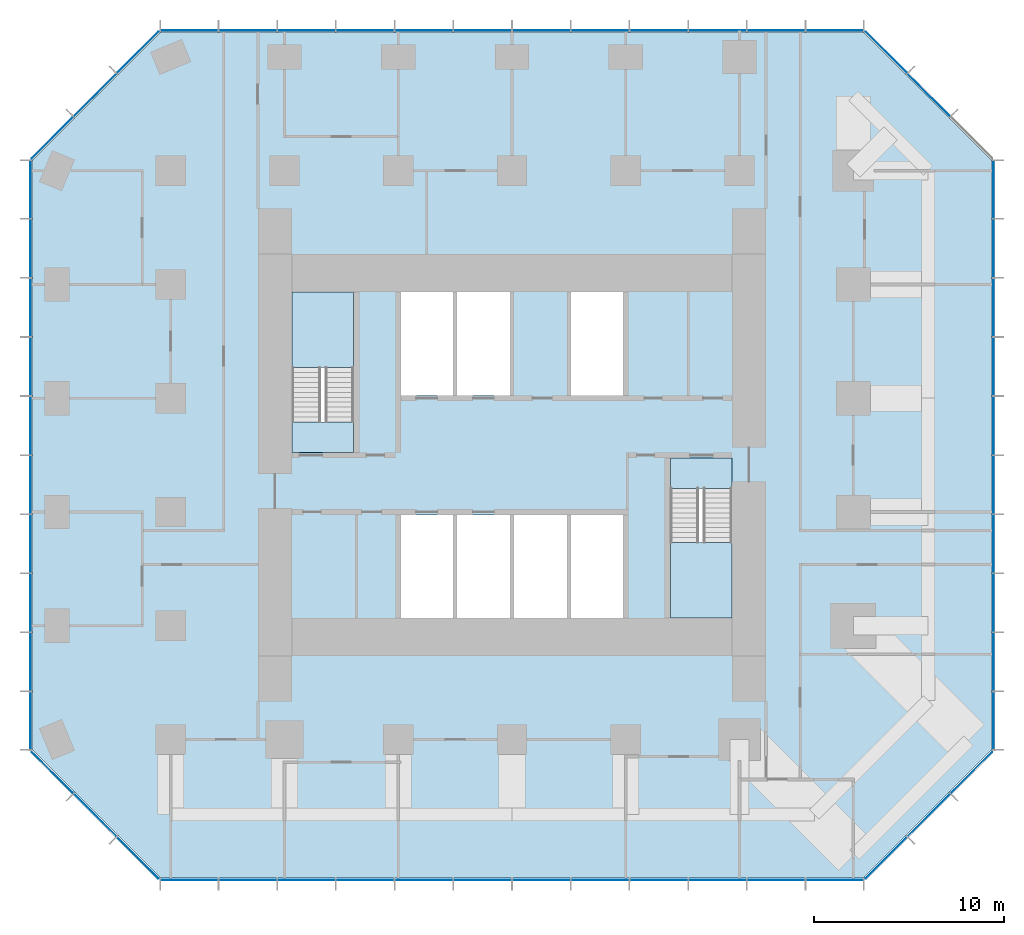
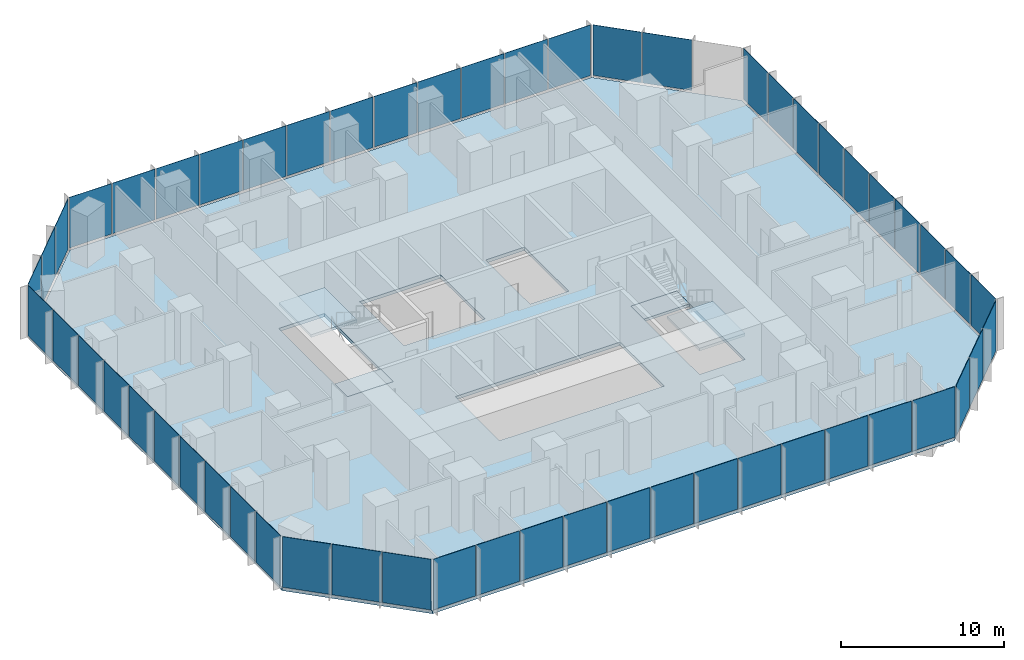
# One storey, part 7 of 12: 55 plates, 5 slabs, 10 elements without a shape of their own.
"""IFC4 building model written with IfcOpenShell, lengths in metres."""

from ifc_helpers import new_model, si_unit, direction, frame, origin, origin_2d, place, context, subcontext, project, spatial, polyline, rectangle, outline, extrude, material, layer, layer_set, type_object, element, aggregate, save


model = new_model("IFC4")

# Units and contexts
model_context = context("Model", 3, precision=1e-05, world=origin(), true_north=direction((0.0, 1.0)))
body_context = subcontext(model_context, "Body", "Model", "MODEL_VIEW")
ifc_project = project(units=[si_unit("LENGTHUNIT", "METRE"), si_unit("AREAUNIT", "SQUARE_METRE"), si_unit("VOLUMEUNIT", "CUBIC_METRE"), si_unit("PLANEANGLEUNIT", "RADIAN"), si_unit("MASSUNIT", "GRAM", prefix="KILO")], contexts=[model_context])

# Site, building, storey
site_placement = place(None, origin())
site = spatial("IfcSite", under=ifc_project, at=site_placement, CompositionType="ELEMENT")
building_placement = place(site_placement, origin())
building = spatial("IfcBuilding", under=site, at=building_placement, Name="Highveld Stack Headquarters", CompositionType="ELEMENT")
storey_placement = place(building_placement, frame((0.0, 0.0, 148.39990234375)))
storey = spatial("IfcBuildingStorey", under=building, at=storey_placement, Name="L36", CompositionType="ELEMENT", Elevation=148.39990234375)

# Curtain wall, plates
ifc_material_1 = material(Name="Aluminium bronze anodised", Category="aluminium")
ifc_layer_1 = layer(ifc_material_1, 0.199951171875)
ifc_layer_set_1 = layer_set([ifc_layer_1], Name="Aluminium bronze anodised")
curtain_wall_type_1 = type_object("IfcCurtainWallType", Name="CW1 TOWER UNITISED CURTAIN WALL", PredefinedType="NOTDEFINED", material=ifc_layer_set_1)
curtain_wall_1_placement = place(storey_placement, origin())
curtain_wall_1 = element("IfcCurtainWall", 1, at=curtain_wall_1_placement, inside=storey, type_object=curtain_wall_type_1, Name="Curtain wall CW1 L36 S", PredefinedType="NOTDEFINED")
ifc_material_2 = material(Name="Glass bronze tinted double glazed unit", Category="glass")
ifc_layer_2 = layer(ifc_material_2, 0.028076171875)
ifc_layer_set_2 = layer_set([ifc_layer_2], Name="Glass bronze tinted double glazed unit")
plate_type_1 = type_object("IfcPlateType", Name="CW1 PANEL BRONZE TINTED DOUBLE GLAZED UNIT", PredefinedType="CURTAIN_PANEL", material=ifc_layer_set_2)
plate_1_placement = place(storey_placement, frame((-11.015380859375, -19.39990234375, 0.10009765625), z_axis=(0.0, 0.0, 1.0), x_axis=(1.0, 0.0, 0.0)))
plate_1 = element("IfcPlate", 2, at=plate_1_placement, type_object=plate_type_1, Name="CW1 panel L36 1.1", PredefinedType="CURTAIN_PANEL", context=body_context, shape_type="SweptSolid", body=[
    extrude(rectangle(XDim=2.9990234375, YDim=0.028076171875, at=origin_2d()), origin(), (0.0, 0.0, 1.0), 3.800048828125),
])
plate_2_placement = place(storey_placement, frame((-7.934814453125, -19.39990234375, 0.10009765625), z_axis=(0.0, 0.0, 1.0), x_axis=(1.0, 0.0, 0.0)))
plate_2 = element("IfcPlate", 3, at=plate_2_placement, type_object=plate_type_1, Name="CW1 panel L36 2.1", PredefinedType="CURTAIN_PANEL", context=body_context, shape_type="SweptSolid", body=[
    extrude(rectangle(XDim=3.031494140625, YDim=0.028076171875, at=origin_2d()), origin(), (0.0, 0.0, 1.0), 3.800048828125),
])
plate_3_placement = place(storey_placement, frame((-4.83837890625, -19.39990234375, 0.10009765625), z_axis=(0.0, 0.0, 1.0), x_axis=(1.0, 0.0, 0.0)))
plate_3 = element("IfcPlate", 4, at=plate_3_placement, type_object=plate_type_1, Name="CW1 panel L36 3.1", PredefinedType="CURTAIN_PANEL", context=body_context, shape_type="SweptSolid", body=[
    extrude(rectangle(XDim=3.031494140625, YDim=0.028076171875, at=origin_2d()), origin(), (0.0, 0.0, 1.0), 3.800048828125),
])
plate_4_placement = place(storey_placement, frame((-1.74169921875, -19.39990234375, 0.10009765625), z_axis=(0.0, 0.0, 1.0), x_axis=(1.0, 0.0, 0.0)))
plate_4 = element("IfcPlate", 5, at=plate_4_placement, type_object=plate_type_1, Name="CW1 panel L36 4.1", PredefinedType="CURTAIN_PANEL", context=body_context, shape_type="SweptSolid", body=[
    extrude(rectangle(XDim=3.031494140625, YDim=0.028076171875, at=origin_2d()), origin(), (0.0, 0.0, 1.0), 3.800048828125),
])
plate_5_placement = place(storey_placement, frame((1.35498046875, -19.39990234375, 0.10009765625), z_axis=(0.0, 0.0, 1.0), x_axis=(1.0, 0.0, 0.0)))
plate_5 = element("IfcPlate", 6, at=plate_5_placement, type_object=plate_type_1, Name="CW1 panel L36 5.1", PredefinedType="CURTAIN_PANEL", context=body_context, shape_type="SweptSolid", body=[
    extrude(rectangle(XDim=3.031494140625, YDim=0.028076171875, at=origin_2d()), origin(), (0.0, 0.0, 1.0), 3.800048828125),
])
plate_6_placement = place(storey_placement, frame((4.45166015625, -19.39990234375, 0.10009765625), z_axis=(0.0, 0.0, 1.0), x_axis=(1.0, 0.0, 0.0)))
plate_6 = element("IfcPlate", 7, at=plate_6_placement, type_object=plate_type_1, Name="CW1 panel L36 6.1", PredefinedType="CURTAIN_PANEL", context=body_context, shape_type="SweptSolid", body=[
    extrude(rectangle(XDim=3.031494140625, YDim=0.028076171875, at=origin_2d()), origin(), (0.0, 0.0, 1.0), 3.800048828125),
])
plate_7_placement = place(storey_placement, frame((7.54833984375, -19.39990234375, 0.10009765625), z_axis=(0.0, 0.0, 1.0), x_axis=(1.0, 0.0, 0.0)))
plate_7 = element("IfcPlate", 8, at=plate_7_placement, type_object=plate_type_1, Name="CW1 panel L36 7.1", PredefinedType="CURTAIN_PANEL", context=body_context, shape_type="SweptSolid", body=[
    extrude(rectangle(XDim=3.03173828125, YDim=0.028076171875, at=origin_2d()), origin(), (0.0, 0.0, 1.0), 3.800048828125),
])
plate_8_placement = place(storey_placement, frame((10.64501953125, -19.39990234375, 0.10009765625), z_axis=(0.0, 0.0, 1.0), x_axis=(1.0, 0.0, 0.0)))
plate_8 = element("IfcPlate", 9, at=plate_8_placement, type_object=plate_type_1, Name="CW1 panel L36 8.1", PredefinedType="CURTAIN_PANEL", context=body_context, shape_type="SweptSolid", body=[
    extrude(rectangle(XDim=3.03173828125, YDim=0.028076171875, at=origin_2d()), origin(), (0.0, 0.0, 1.0), 3.800048828125),
])
plate_9_placement = place(storey_placement, frame((13.74169921875, -19.39990234375, 0.10009765625), z_axis=(0.0, 0.0, 1.0), x_axis=(1.0, 0.0, 0.0)))
plate_9 = element("IfcPlate", 10, at=plate_9_placement, type_object=plate_type_1, Name="CW1 panel L36 9.1", PredefinedType="CURTAIN_PANEL", context=body_context, shape_type="SweptSolid", body=[
    extrude(rectangle(XDim=3.03173828125, YDim=0.028076171875, at=origin_2d()), origin(), (0.0, 0.0, 1.0), 3.800048828125),
])
plate_10_placement = place(storey_placement, frame((16.83837890625, -19.39990234375, 0.10009765625), z_axis=(0.0, 0.0, 1.0), x_axis=(1.0, 0.0, 0.0)))
plate_10 = element("IfcPlate", 11, at=plate_10_placement, type_object=plate_type_1, Name="CW1 panel L36 10.1", PredefinedType="CURTAIN_PANEL", context=body_context, shape_type="SweptSolid", body=[
    extrude(rectangle(XDim=3.03173828125, YDim=0.028076171875, at=origin_2d()), origin(), (0.0, 0.0, 1.0), 3.800048828125),
])
plate_11_placement = place(storey_placement, frame((19.934814453125, -19.39990234375, 0.10009765625), z_axis=(0.0, 0.0, 1.0), x_axis=(1.0, 0.0, 0.0)))
plate_11 = element("IfcPlate", 12, at=plate_11_placement, type_object=plate_type_1, Name="CW1 panel L36 11.1", PredefinedType="CURTAIN_PANEL", context=body_context, shape_type="SweptSolid", body=[
    extrude(rectangle(XDim=3.03173828125, YDim=0.028076171875, at=origin_2d()), origin(), (0.0, 0.0, 1.0), 3.800048828125),
])
plate_12_placement = place(storey_placement, frame((23.015380859375, -19.39990234375, 0.10009765625), z_axis=(0.0, 0.0, 1.0), x_axis=(1.0, 0.0, 0.0)))
plate_12 = element("IfcPlate", 13, at=plate_12_placement, type_object=plate_type_1, Name="CW1 panel L36 12.1", PredefinedType="CURTAIN_PANEL", context=body_context, shape_type="SweptSolid", body=[
    extrude(rectangle(XDim=2.999267578125, YDim=0.028076171875, at=origin_2d()), origin(), (0.0, 0.0, 1.0), 3.800048828125),
])
aggregate(curtain_wall_1, [plate_1, plate_2, plate_3, plate_4, plate_5, plate_6, plate_7, plate_8, plate_9, plate_10, plate_11, plate_12])

curtain_wall_2_placement = place(storey_placement, origin())
curtain_wall_2 = element("IfcCurtainWall", 14, at=curtain_wall_2_placement, inside=storey, type_object=curtain_wall_type_1, Name="Curtain wall CW1 L36 E", PredefinedType="NOTDEFINED")
plate_13_placement = place(storey_placement, frame((31.39990234375, -11.005615234375, 0.10009765625), z_axis=(0.0, 0.0, 1.0), x_axis=(0.0, 1.0, 0.0)))
plate_13 = element("IfcPlate", 15, at=plate_13_placement, type_object=plate_type_1, Name="CW1 panel L36 1.1", PredefinedType="CURTAIN_PANEL", context=body_context, shape_type="SweptSolid", body=[
    extrude(rectangle(XDim=3.0185546875, YDim=0.028076171875, at=origin_2d()), origin(), (0.0, 0.0, 1.0), 3.800048828125),
])
plate_14_placement = place(storey_placement, frame((31.39990234375, -7.906005859375, 0.10009765625), z_axis=(0.0, 0.0, 1.0), x_axis=(0.0, 1.0, 0.0)))
plate_14 = element("IfcPlate", 16, at=plate_14_placement, type_object=plate_type_1, Name="CW1 panel L36 2.1", PredefinedType="CURTAIN_PANEL", context=body_context, shape_type="SweptSolid", body=[
    extrude(rectangle(XDim=3.051025390625, YDim=0.028076171875, at=origin_2d()), origin(), (0.0, 0.0, 1.0), 3.800048828125),
])
plate_15_placement = place(storey_placement, frame((31.39990234375, -4.7900390625, 0.10009765625), z_axis=(0.0, 0.0, 1.0), x_axis=(0.0, 1.0, 0.0)))
plate_15 = element("IfcPlate", 17, at=plate_15_placement, type_object=plate_type_1, Name="CW1 panel L36 3.1", PredefinedType="CURTAIN_PANEL", context=body_context, shape_type="SweptSolid", body=[
    extrude(rectangle(XDim=3.051025390625, YDim=0.028076171875, at=origin_2d()), origin(), (0.0, 0.0, 1.0), 3.800048828125),
])
plate_16_placement = place(storey_placement, frame((31.39990234375, -1.674072265625, 0.10009765625), z_axis=(0.0, 0.0, 1.0), x_axis=(0.0, 1.0, 0.0)))
plate_16 = element("IfcPlate", 18, at=plate_16_placement, type_object=plate_type_1, Name="CW1 panel L36 4.1", PredefinedType="CURTAIN_PANEL", context=body_context, shape_type="SweptSolid", body=[
    extrude(rectangle(XDim=3.051025390625, YDim=0.028076171875, at=origin_2d()), origin(), (0.0, 0.0, 1.0), 3.800048828125),
])
plate_17_placement = place(storey_placement, frame((31.39990234375, 1.44189453125, 0.10009765625), z_axis=(0.0, 0.0, 1.0), x_axis=(0.0, 1.0, 0.0)))
plate_17 = element("IfcPlate", 19, at=plate_17_placement, type_object=plate_type_1, Name="CW1 panel L36 5.1", PredefinedType="CURTAIN_PANEL", context=body_context, shape_type="SweptSolid", body=[
    extrude(rectangle(XDim=3.051025390625, YDim=0.028076171875, at=origin_2d()), origin(), (0.0, 0.0, 1.0), 3.800048828125),
])
plate_18_placement = place(storey_placement, frame((31.39990234375, 4.55810546875, 0.10009765625), z_axis=(0.0, 0.0, 1.0), x_axis=(0.0, 1.0, 0.0)))
plate_18 = element("IfcPlate", 20, at=plate_18_placement, type_object=plate_type_1, Name="CW1 panel L36 6.1", PredefinedType="CURTAIN_PANEL", context=body_context, shape_type="SweptSolid", body=[
    extrude(rectangle(XDim=3.051025390625, YDim=0.028076171875, at=origin_2d()), origin(), (0.0, 0.0, 1.0), 3.800048828125),
])
plate_19_placement = place(storey_placement, frame((31.39990234375, 7.674072265625, 0.10009765625), z_axis=(0.0, 0.0, 1.0), x_axis=(0.0, 1.0, 0.0)))
plate_19 = element("IfcPlate", 21, at=plate_19_placement, type_object=plate_type_1, Name="CW1 panel L36 7.1", PredefinedType="CURTAIN_PANEL", context=body_context, shape_type="SweptSolid", body=[
    extrude(rectangle(XDim=3.051025390625, YDim=0.028076171875, at=origin_2d()), origin(), (0.0, 0.0, 1.0), 3.800048828125),
])
plate_20_placement = place(storey_placement, frame((31.39990234375, 10.789794921875, 0.10009765625), z_axis=(0.0, 0.0, 1.0), x_axis=(0.0, 1.0, 0.0)))
plate_20 = element("IfcPlate", 22, at=plate_20_placement, type_object=plate_type_1, Name="CW1 panel L36 8.1", PredefinedType="CURTAIN_PANEL", context=body_context, shape_type="SweptSolid", body=[
    extrude(rectangle(XDim=3.051025390625, YDim=0.028076171875, at=origin_2d()), origin(), (0.0, 0.0, 1.0), 3.800048828125),
])
plate_21_placement = place(storey_placement, frame((31.39990234375, 13.906005859375, 0.10009765625), z_axis=(0.0, 0.0, 1.0), x_axis=(0.0, 1.0, 0.0)))
plate_21 = element("IfcPlate", 23, at=plate_21_placement, type_object=plate_type_1, Name="CW1 panel L36 9.1", PredefinedType="CURTAIN_PANEL", context=body_context, shape_type="SweptSolid", body=[
    extrude(rectangle(XDim=3.051025390625, YDim=0.028076171875, at=origin_2d()), origin(), (0.0, 0.0, 1.0), 3.800048828125),
])
plate_22_placement = place(storey_placement, frame((31.39990234375, 17.005615234375, 0.10009765625), z_axis=(0.0, 0.0, 1.0), x_axis=(0.0, 1.0, 0.0)))
plate_22 = element("IfcPlate", 24, at=plate_22_placement, type_object=plate_type_1, Name="CW1 panel L36 10.1", PredefinedType="CURTAIN_PANEL", context=body_context, shape_type="SweptSolid", body=[
    extrude(rectangle(XDim=3.0185546875, YDim=0.028076171875, at=origin_2d()), origin(), (0.0, 0.0, 1.0), 3.800048828125),
])
aggregate(curtain_wall_2, [plate_13, plate_14, plate_15, plate_16, plate_17, plate_18, plate_19, plate_20, plate_21, plate_22])

curtain_wall_3_placement = place(storey_placement, origin())
curtain_wall_3 = element("IfcCurtainWall", 25, at=curtain_wall_3_placement, inside=storey, type_object=curtain_wall_type_1, Name="Curtain wall CW1 L36 N", PredefinedType="NOTDEFINED")
plate_23_placement = place(storey_placement, frame((23.015380859375, 25.39990234375, 0.10009765625), z_axis=(0.0, 0.0, 1.0), x_axis=(-1.0, 0.0, 0.0)))
plate_23 = element("IfcPlate", 26, at=plate_23_placement, type_object=plate_type_1, Name="CW1 panel L36 1.1", PredefinedType="CURTAIN_PANEL", context=body_context, shape_type="SweptSolid", body=[
    extrude(rectangle(XDim=2.9990234375, YDim=0.028076171875, at=origin_2d()), origin(), (0.0, 0.0, 1.0), 3.800048828125),
])
plate_24_placement = place(storey_placement, frame((19.934814453125, 25.39990234375, 0.10009765625), z_axis=(0.0, 0.0, 1.0), x_axis=(-1.0, 0.0, 0.0)))
plate_24 = element("IfcPlate", 27, at=plate_24_placement, type_object=plate_type_1, Name="CW1 panel L36 2.1", PredefinedType="CURTAIN_PANEL", context=body_context, shape_type="SweptSolid", body=[
    extrude(rectangle(XDim=3.031494140625, YDim=0.028076171875, at=origin_2d()), origin(), (0.0, 0.0, 1.0), 3.800048828125),
])
plate_25_placement = place(storey_placement, frame((16.83837890625, 25.39990234375, 0.10009765625), z_axis=(0.0, 0.0, 1.0), x_axis=(-1.0, 0.0, 0.0)))
plate_25 = element("IfcPlate", 28, at=plate_25_placement, type_object=plate_type_1, Name="CW1 panel L36 3.1", PredefinedType="CURTAIN_PANEL", context=body_context, shape_type="SweptSolid", body=[
    extrude(rectangle(XDim=3.031494140625, YDim=0.028076171875, at=origin_2d()), origin(), (0.0, 0.0, 1.0), 3.800048828125),
])
plate_26_placement = place(storey_placement, frame((13.74169921875, 25.39990234375, 0.10009765625), z_axis=(0.0, 0.0, 1.0), x_axis=(-1.0, 0.0, 0.0)))
plate_26 = element("IfcPlate", 29, at=plate_26_placement, type_object=plate_type_1, Name="CW1 panel L36 4.1", PredefinedType="CURTAIN_PANEL", context=body_context, shape_type="SweptSolid", body=[
    extrude(rectangle(XDim=3.031494140625, YDim=0.028076171875, at=origin_2d()), origin(), (0.0, 0.0, 1.0), 3.800048828125),
])
plate_27_placement = place(storey_placement, frame((10.64501953125, 25.39990234375, 0.10009765625), z_axis=(0.0, 0.0, 1.0), x_axis=(-1.0, 0.0, 0.0)))
plate_27 = element("IfcPlate", 30, at=plate_27_placement, type_object=plate_type_1, Name="CW1 panel L36 5.1", PredefinedType="CURTAIN_PANEL", context=body_context, shape_type="SweptSolid", body=[
    extrude(rectangle(XDim=3.031494140625, YDim=0.028076171875, at=origin_2d()), origin(), (0.0, 0.0, 1.0), 3.800048828125),
])
plate_28_placement = place(storey_placement, frame((7.54833984375, 25.39990234375, 0.10009765625), z_axis=(0.0, 0.0, 1.0), x_axis=(-1.0, 0.0, 0.0)))
plate_28 = element("IfcPlate", 31, at=plate_28_placement, type_object=plate_type_1, Name="CW1 panel L36 6.1", PredefinedType="CURTAIN_PANEL", context=body_context, shape_type="SweptSolid", body=[
    extrude(rectangle(XDim=3.031494140625, YDim=0.028076171875, at=origin_2d()), origin(), (0.0, 0.0, 1.0), 3.800048828125),
])
plate_29_placement = place(storey_placement, frame((4.45166015625, 25.39990234375, 0.10009765625), z_axis=(0.0, 0.0, 1.0), x_axis=(-1.0, 0.0, 0.0)))
plate_29 = element("IfcPlate", 32, at=plate_29_placement, type_object=plate_type_1, Name="CW1 panel L36 7.1", PredefinedType="CURTAIN_PANEL", context=body_context, shape_type="SweptSolid", body=[
    extrude(rectangle(XDim=3.03173828125, YDim=0.028076171875, at=origin_2d()), origin(), (0.0, 0.0, 1.0), 3.800048828125),
])
plate_30_placement = place(storey_placement, frame((1.35498046875, 25.39990234375, 0.10009765625), z_axis=(0.0, 0.0, 1.0), x_axis=(-1.0, 0.0, 0.0)))
plate_30 = element("IfcPlate", 33, at=plate_30_placement, type_object=plate_type_1, Name="CW1 panel L36 8.1", PredefinedType="CURTAIN_PANEL", context=body_context, shape_type="SweptSolid", body=[
    extrude(rectangle(XDim=3.03173828125, YDim=0.028076171875, at=origin_2d()), origin(), (0.0, 0.0, 1.0), 3.800048828125),
])
plate_31_placement = place(storey_placement, frame((-1.74169921875, 25.39990234375, 0.10009765625), z_axis=(0.0, 0.0, 1.0), x_axis=(-1.0, 0.0, 0.0)))
plate_31 = element("IfcPlate", 34, at=plate_31_placement, type_object=plate_type_1, Name="CW1 panel L36 9.1", PredefinedType="CURTAIN_PANEL", context=body_context, shape_type="SweptSolid", body=[
    extrude(rectangle(XDim=3.03173828125, YDim=0.028076171875, at=origin_2d()), origin(), (0.0, 0.0, 1.0), 3.800048828125),
])
plate_32_placement = place(storey_placement, frame((-4.83837890625, 25.39990234375, 0.10009765625), z_axis=(0.0, 0.0, 1.0), x_axis=(-1.0, 0.0, 0.0)))
plate_32 = element("IfcPlate", 35, at=plate_32_placement, type_object=plate_type_1, Name="CW1 panel L36 10.1", PredefinedType="CURTAIN_PANEL", context=body_context, shape_type="SweptSolid", body=[
    extrude(rectangle(XDim=3.03173828125, YDim=0.028076171875, at=origin_2d()), origin(), (0.0, 0.0, 1.0), 3.800048828125),
])
plate_33_placement = place(storey_placement, frame((-7.934814453125, 25.39990234375, 0.10009765625), z_axis=(0.0, 0.0, 1.0), x_axis=(-1.0, 0.0, 0.0)))
plate_33 = element("IfcPlate", 36, at=plate_33_placement, type_object=plate_type_1, Name="CW1 panel L36 11.1", PredefinedType="CURTAIN_PANEL", context=body_context, shape_type="SweptSolid", body=[
    extrude(rectangle(XDim=3.03173828125, YDim=0.028076171875, at=origin_2d()), origin(), (0.0, 0.0, 1.0), 3.800048828125),
])
plate_34_placement = place(storey_placement, frame((-11.015380859375, 25.39990234375, 0.10009765625), z_axis=(0.0, 0.0, 1.0), x_axis=(-1.0, 0.0, 0.0)))
plate_34 = element("IfcPlate", 37, at=plate_34_placement, type_object=plate_type_1, Name="CW1 panel L36 12.1", PredefinedType="CURTAIN_PANEL", context=body_context, shape_type="SweptSolid", body=[
    extrude(rectangle(XDim=2.999267578125, YDim=0.028076171875, at=origin_2d()), origin(), (0.0, 0.0, 1.0), 3.800048828125),
])
aggregate(curtain_wall_3, [plate_23, plate_24, plate_25, plate_26, plate_27, plate_28, plate_29, plate_30, plate_31, plate_32, plate_33, plate_34])

curtain_wall_4_placement = place(storey_placement, origin())
curtain_wall_4 = element("IfcCurtainWall", 38, at=curtain_wall_4_placement, inside=storey, type_object=curtain_wall_type_1, Name="Curtain wall CW1 L36 W", PredefinedType="NOTDEFINED")
plate_35_placement = place(storey_placement, frame((-19.39990234375, 17.005615234375, 0.10009765625), z_axis=(0.0, 0.0, 1.0), x_axis=(0.0, -1.0, 0.0)))
plate_35 = element("IfcPlate", 39, at=plate_35_placement, type_object=plate_type_1, Name="CW1 panel L36 1.1", PredefinedType="CURTAIN_PANEL", context=body_context, shape_type="SweptSolid", body=[
    extrude(rectangle(XDim=3.0185546875, YDim=0.028076171875, at=origin_2d()), origin(), (0.0, 0.0, 1.0), 3.800048828125),
])
plate_36_placement = place(storey_placement, frame((-19.39990234375, 13.906005859375, 0.10009765625), z_axis=(0.0, 0.0, 1.0), x_axis=(0.0, -1.0, 0.0)))
plate_36 = element("IfcPlate", 40, at=plate_36_placement, type_object=plate_type_1, Name="CW1 panel L36 2.1", PredefinedType="CURTAIN_PANEL", context=body_context, shape_type="SweptSolid", body=[
    extrude(rectangle(XDim=3.051025390625, YDim=0.028076171875, at=origin_2d()), origin(), (0.0, 0.0, 1.0), 3.800048828125),
])
plate_37_placement = place(storey_placement, frame((-19.39990234375, 10.7900390625, 0.10009765625), z_axis=(0.0, 0.0, 1.0), x_axis=(0.0, -1.0, 0.0)))
plate_37 = element("IfcPlate", 41, at=plate_37_placement, type_object=plate_type_1, Name="CW1 panel L36 3.1", PredefinedType="CURTAIN_PANEL", context=body_context, shape_type="SweptSolid", body=[
    extrude(rectangle(XDim=3.051025390625, YDim=0.028076171875, at=origin_2d()), origin(), (0.0, 0.0, 1.0), 3.800048828125),
])
plate_38_placement = place(storey_placement, frame((-19.39990234375, 7.674072265625, 0.10009765625), z_axis=(0.0, 0.0, 1.0), x_axis=(0.0, -1.0, 0.0)))
plate_38 = element("IfcPlate", 42, at=plate_38_placement, type_object=plate_type_1, Name="CW1 panel L36 4.1", PredefinedType="CURTAIN_PANEL", context=body_context, shape_type="SweptSolid", body=[
    extrude(rectangle(XDim=3.051025390625, YDim=0.028076171875, at=origin_2d()), origin(), (0.0, 0.0, 1.0), 3.800048828125),
])
plate_39_placement = place(storey_placement, frame((-19.39990234375, 4.55810546875, 0.10009765625), z_axis=(0.0, 0.0, 1.0), x_axis=(0.0, -1.0, 0.0)))
plate_39 = element("IfcPlate", 43, at=plate_39_placement, type_object=plate_type_1, Name="CW1 panel L36 5.1", PredefinedType="CURTAIN_PANEL", context=body_context, shape_type="SweptSolid", body=[
    extrude(rectangle(XDim=3.051025390625, YDim=0.028076171875, at=origin_2d()), origin(), (0.0, 0.0, 1.0), 3.800048828125),
])
plate_40_placement = place(storey_placement, frame((-19.39990234375, 1.44189453125, 0.10009765625), z_axis=(0.0, 0.0, 1.0), x_axis=(0.0, -1.0, 0.0)))
plate_40 = element("IfcPlate", 44, at=plate_40_placement, type_object=plate_type_1, Name="CW1 panel L36 6.1", PredefinedType="CURTAIN_PANEL", context=body_context, shape_type="SweptSolid", body=[
    extrude(rectangle(XDim=3.051025390625, YDim=0.028076171875, at=origin_2d()), origin(), (0.0, 0.0, 1.0), 3.800048828125),
])
plate_41_placement = place(storey_placement, frame((-19.39990234375, -1.674072265625, 0.10009765625), z_axis=(0.0, 0.0, 1.0), x_axis=(0.0, -1.0, 0.0)))
plate_41 = element("IfcPlate", 45, at=plate_41_placement, type_object=plate_type_1, Name="CW1 panel L36 7.1", PredefinedType="CURTAIN_PANEL", context=body_context, shape_type="SweptSolid", body=[
    extrude(rectangle(XDim=3.051025390625, YDim=0.028076171875, at=origin_2d()), origin(), (0.0, 0.0, 1.0), 3.800048828125),
])
plate_42_placement = place(storey_placement, frame((-19.39990234375, -4.789794921875, 0.10009765625), z_axis=(0.0, 0.0, 1.0), x_axis=(0.0, -1.0, 0.0)))
plate_42 = element("IfcPlate", 46, at=plate_42_placement, type_object=plate_type_1, Name="CW1 panel L36 8.1", PredefinedType="CURTAIN_PANEL", context=body_context, shape_type="SweptSolid", body=[
    extrude(rectangle(XDim=3.051025390625, YDim=0.028076171875, at=origin_2d()), origin(), (0.0, 0.0, 1.0), 3.800048828125),
])
plate_43_placement = place(storey_placement, frame((-19.39990234375, -7.906005859375, 0.10009765625), z_axis=(0.0, 0.0, 1.0), x_axis=(0.0, -1.0, 0.0)))
plate_43 = element("IfcPlate", 47, at=plate_43_placement, type_object=plate_type_1, Name="CW1 panel L36 9.1", PredefinedType="CURTAIN_PANEL", context=body_context, shape_type="SweptSolid", body=[
    extrude(rectangle(XDim=3.051025390625, YDim=0.028076171875, at=origin_2d()), origin(), (0.0, 0.0, 1.0), 3.800048828125),
])
plate_44_placement = place(storey_placement, frame((-19.39990234375, -11.005615234375, 0.10009765625), z_axis=(0.0, 0.0, 1.0), x_axis=(0.0, -1.0, 0.0)))
plate_44 = element("IfcPlate", 48, at=plate_44_placement, type_object=plate_type_1, Name="CW1 panel L36 10.1", PredefinedType="CURTAIN_PANEL", context=body_context, shape_type="SweptSolid", body=[
    extrude(rectangle(XDim=3.0185546875, YDim=0.028076171875, at=origin_2d()), origin(), (0.0, 0.0, 1.0), 3.800048828125),
])
aggregate(curtain_wall_4, [plate_35, plate_36, plate_37, plate_38, plate_39, plate_40, plate_41, plate_42, plate_43, plate_44])

ifc_material_3 = material(Name="Aluminium bronze anodised", Category="aluminium")
ifc_layer_3 = layer(ifc_material_3, 0.199951171875)
ifc_layer_set_3 = layer_set([ifc_layer_3], Name="Aluminium bronze anodised")
curtain_wall_type_2 = type_object("IfcCurtainWallType", Name="CW2 TOWER CHAMFER UNITISED CURTAIN WALL", PredefinedType="NOTDEFINED", material=ifc_layer_set_3)
curtain_wall_5_placement = place(storey_placement, origin())
curtain_wall_5 = element("IfcCurtainWall", 49, at=curtain_wall_5_placement, inside=storey, type_object=curtain_wall_type_2, Name="Curtain wall CW2 L36 SE", PredefinedType="NOTDEFINED")
ifc_material_4 = material(Name="Glass bronze tinted double glazed unit", Category="glass")
ifc_layer_4 = layer(ifc_material_4, 0.028076171875)
ifc_layer_set_4 = layer_set([ifc_layer_4], Name="Glass bronze tinted double glazed unit")
plate_type_2 = type_object("IfcPlateType", Name="CW2 PANEL BRONZE TINTED DOUBLE GLAZED UNIT", PredefinedType="CURTAIN_PANEL", material=ifc_layer_set_4)
plate_45_placement = place(storey_placement, frame((25.740478515625, -18.239501953125, 0.10009765625), z_axis=(0.0, 0.0, 1.0), x_axis=(0.707106781187, 0.707106781187, 0.0)))
plate_45 = element("IfcPlate", 50, at=plate_45_placement, type_object=plate_type_2, Name="CW2 panel L36 1.1", PredefinedType="CURTAIN_PANEL", context=body_context, shape_type="SweptSolid", body=[
    extrude(rectangle(XDim=3.08251953125, YDim=0.028076171875, at=origin_2d()), origin(), (0.0, 0.0, 1.0), 3.800048828125),
])
plate_46_placement = place(storey_placement, frame((27.989990234375, -15.989990234375, 0.10009765625), z_axis=(0.0, 0.0, 1.0), x_axis=(0.707106781187, 0.707106781187, 0.0)))
plate_46 = element("IfcPlate", 51, at=plate_46_placement, type_object=plate_type_2, Name="CW2 panel L36 2.1", PredefinedType="CURTAIN_PANEL", context=body_context, shape_type="SweptSolid", body=[
    extrude(rectangle(XDim=3.14990234375, YDim=0.028076171875, at=origin_2d()), origin(), (0.0, 0.0, 1.0), 3.800048828125),
])
plate_47_placement = place(storey_placement, frame((30.239501953125, -13.740478515625, 0.10009765625), z_axis=(0.0, 0.0, 1.0), x_axis=(0.707106781187, 0.707106781187, 0.0)))
plate_47 = element("IfcPlate", 52, at=plate_47_placement, type_object=plate_type_2, Name="CW2 panel L36 3.1", PredefinedType="CURTAIN_PANEL", context=body_context, shape_type="SweptSolid", body=[
    extrude(rectangle(XDim=3.08251953125, YDim=0.028076171875, at=origin_2d()), origin(), (0.0, 0.0, 1.0), 3.800048828125),
])
aggregate(curtain_wall_5, [plate_45, plate_46, plate_47])

curtain_wall_6_placement = place(storey_placement, origin())
curtain_wall_6 = element("IfcCurtainWall", 53, at=curtain_wall_6_placement, inside=storey, type_object=curtain_wall_type_2, Name="Curtain wall CW2 L36 NE", PredefinedType="NOTDEFINED")
plate_48_placement = place(storey_placement, frame((27.989990234375, 21.989990234375, 0.10009765625), z_axis=(0.0, 0.0, 1.0), x_axis=(-0.707106781187, 0.707106781187, 0.0)))
plate_48 = element("IfcPlate", 54, at=plate_48_placement, type_object=plate_type_2, Name="CW2 panel L36 2.1", PredefinedType="CURTAIN_PANEL", context=body_context, shape_type="SweptSolid", body=[
    extrude(rectangle(XDim=3.14990234375, YDim=0.028076171875, at=origin_2d()), origin(), (0.0, 0.0, 1.0), 3.800048828125),
])
plate_49_placement = place(storey_placement, frame((25.740478515625, 24.239501953125, 0.10009765625), z_axis=(0.0, 0.0, 1.0), x_axis=(-0.707106781187, 0.707106781187, 0.0)))
plate_49 = element("IfcPlate", 55, at=plate_49_placement, type_object=plate_type_2, Name="CW2 panel L36 3.1", PredefinedType="CURTAIN_PANEL", context=body_context, shape_type="SweptSolid", body=[
    extrude(rectangle(XDim=3.08251953125, YDim=0.028076171875, at=origin_2d()), origin(), (0.0, 0.0, 1.0), 3.800048828125),
])
aggregate(curtain_wall_6, [plate_48, plate_49])

curtain_wall_7_placement = place(storey_placement, origin())
curtain_wall_7 = element("IfcCurtainWall", 56, at=curtain_wall_7_placement, inside=storey, type_object=curtain_wall_type_2, Name="Curtain wall CW2 L36 NW", PredefinedType="NOTDEFINED")
plate_50_placement = place(storey_placement, frame((-13.740478515625, 24.239501953125, 0.10009765625), z_axis=(0.0, 0.0, 1.0), x_axis=(-0.707106781187, -0.707106781187, 0.0)))
plate_50 = element("IfcPlate", 57, at=plate_50_placement, type_object=plate_type_2, Name="CW2 panel L36 1.1", PredefinedType="CURTAIN_PANEL", context=body_context, shape_type="SweptSolid", body=[
    extrude(rectangle(XDim=3.08251953125, YDim=0.028076171875, at=origin_2d()), origin(), (0.0, 0.0, 1.0), 3.800048828125),
])
plate_51_placement = place(storey_placement, frame((-15.989990234375, 21.989990234375, 0.10009765625), z_axis=(0.0, 0.0, 1.0), x_axis=(-0.707106781187, -0.707106781187, 0.0)))
plate_51 = element("IfcPlate", 58, at=plate_51_placement, type_object=plate_type_2, Name="CW2 panel L36 2.1", PredefinedType="CURTAIN_PANEL", context=body_context, shape_type="SweptSolid", body=[
    extrude(rectangle(XDim=3.14990234375, YDim=0.028076171875, at=origin_2d()), origin(), (0.0, 0.0, 1.0), 3.800048828125),
])
plate_52_placement = place(storey_placement, frame((-18.239501953125, 19.740478515625, 0.10009765625), z_axis=(0.0, 0.0, 1.0), x_axis=(-0.707106781187, -0.707106781187, 0.0)))
plate_52 = element("IfcPlate", 59, at=plate_52_placement, type_object=plate_type_2, Name="CW2 panel L36 3.1", PredefinedType="CURTAIN_PANEL", context=body_context, shape_type="SweptSolid", body=[
    extrude(rectangle(XDim=3.08251953125, YDim=0.028076171875, at=origin_2d()), origin(), (0.0, 0.0, 1.0), 3.800048828125),
])
aggregate(curtain_wall_7, [plate_50, plate_51, plate_52])

curtain_wall_8_placement = place(storey_placement, origin())
curtain_wall_8 = element("IfcCurtainWall", 60, at=curtain_wall_8_placement, inside=storey, type_object=curtain_wall_type_2, Name="Curtain wall CW2 L36 SW", PredefinedType="NOTDEFINED")
plate_53_placement = place(storey_placement, frame((-18.239501953125, -13.740478515625, 0.10009765625), z_axis=(0.0, 0.0, 1.0), x_axis=(0.707106781187, -0.707106781187, 0.0)))
plate_53 = element("IfcPlate", 61, at=plate_53_placement, type_object=plate_type_2, Name="CW2 panel L36 1.1", PredefinedType="CURTAIN_PANEL", context=body_context, shape_type="SweptSolid", body=[
    extrude(rectangle(XDim=3.08251953125, YDim=0.028076171875, at=origin_2d()), origin(), (0.0, 0.0, 1.0), 3.800048828125),
])
plate_54_placement = place(storey_placement, frame((-15.989990234375, -15.989990234375, 0.10009765625), z_axis=(0.0, 0.0, 1.0), x_axis=(0.707106781187, -0.707106781187, 0.0)))
plate_54 = element("IfcPlate", 62, at=plate_54_placement, type_object=plate_type_2, Name="CW2 panel L36 2.1", PredefinedType="CURTAIN_PANEL", context=body_context, shape_type="SweptSolid", body=[
    extrude(rectangle(XDim=3.14990234375, YDim=0.028076171875, at=origin_2d()), origin(), (0.0, 0.0, 1.0), 3.800048828125),
])
plate_55_placement = place(storey_placement, frame((-13.740478515625, -18.239501953125, 0.10009765625), z_axis=(0.0, 0.0, 1.0), x_axis=(0.707106781187, -0.707106781187, 0.0)))
plate_55 = element("IfcPlate", 63, at=plate_55_placement, type_object=plate_type_2, Name="CW2 panel L36 3.1", PredefinedType="CURTAIN_PANEL", context=body_context, shape_type="SweptSolid", body=[
    extrude(rectangle(XDim=3.08251953125, YDim=0.028076171875, at=origin_2d()), origin(), (0.0, 0.0, 1.0), 3.800048828125),
])
aggregate(curtain_wall_8, [plate_53, plate_54, plate_55])

# Slab
ifc_material_5 = material(Name="Concrete C60/75", Category="concrete")
ifc_layer_5 = layer(ifc_material_5, 0.25)
ifc_layer_set_5 = layer_set([ifc_layer_5], Name="Concrete C60/75")
slab_type_1 = type_object("IfcSlabType", Name="PT FLAT SLAB 250", PredefinedType="FLOOR", material=ifc_layer_set_5)
slab_1_placement = place(storey_placement, frame((0.0, 0.0, -0.25)))
element("IfcSlab", 64, at=slab_1_placement, inside=storey, type_object=slab_type_1, Name="Floor slab L36", PredefinedType="FLOOR", context=body_context, shape_type="SweptSolid", body=[
    extrude(outline(polyline([(-12.53857421875, -19.300048828125), (24.53857421875, -19.300048828125), (31.300048828125, -12.53857421875), (31.300048828125, 18.53857421875), (24.53857421875, 25.300048828125), (-12.53857421875, 25.300048828125), (-19.300048828125, 18.53857421875), (-19.300048828125, -12.53857421875), (-12.53857421875, -19.300048828125)]), holes=[polyline([(0.14990234375, 6.14990234375), (5.89990234375, 6.14990234375), (5.89990234375, 11.60009765625), (0.14990234375, 11.60009765625), (0.14990234375, 6.14990234375)]), polyline([(9.10009765625, 6.14990234375), (11.85009765625, 6.14990234375), (11.85009765625, 11.60009765625), (9.10009765625, 11.60009765625), (9.10009765625, 6.14990234375)]), polyline([(0.14990234375, -5.60009765625), (11.85009765625, -5.60009765625), (11.85009765625, -0.14990234375), (0.14990234375, -0.14990234375), (0.14990234375, -5.60009765625)]), polyline([(-5.60009765625, 3.14990234375), (-2.35009765625, 3.14990234375), (-2.35009765625, 11.60009765625), (-5.60009765625, 11.60009765625), (-5.60009765625, 3.14990234375)]), polyline([(14.35009765625, -5.60009765625), (17.60009765625, -5.60009765625), (17.60009765625, 2.85009765625), (14.35009765625, 2.85009765625), (14.35009765625, -5.60009765625)])]), origin(), (0.0, 0.0, 1.0), 0.25),
])

# Stair, slabs
ifc_material_6 = material(Name="Concrete C40/50, precast", Category="concrete")
stair_type_1 = type_object("IfcStairType", Name="STAIR S1 HALF TURN 1500", PredefinedType="HALF_TURN_STAIR", material=ifc_material_6)
stair_1_placement = place(storey_placement, origin())
stair_1 = element("IfcStair", 65, at=stair_1_placement, inside=storey, type_object=stair_type_1, Name="Stair S1 L36", PredefinedType="HALF_TURN_STAIR")
ifc_material_7 = material(Name="Concrete C40/50, precast", Category="concrete")
ifc_layer_6 = layer(ifc_material_7, 0.199951171875)
ifc_layer_set_6 = layer_set([ifc_layer_6], Name="Concrete C40/50, precast")
slab_type_2 = type_object("IfcSlabType", Name="STAIR LANDING 200", PredefinedType="LANDING", material=ifc_layer_set_6)
slab_2_placement = place(storey_placement, frame((0.0, 0.0, 1.75)))
slab_2 = element("IfcSlab", 66, at=slab_2_placement, type_object=slab_type_2, Name="S1 landing 1", PredefinedType="LANDING", context=body_context, shape_type="SweptSolid", body=[
    extrude(outline(polyline([(-5.60009765625, 7.610107421875), (-2.35009765625, 7.610107421875), (-2.35009765625, 11.60009765625), (-5.60009765625, 11.60009765625), (-5.60009765625, 7.610107421875)])), origin(), (0.0, 0.0, 1.0), 0.2001953125),
])
slab_3_placement = place(storey_placement, frame((0.0, 0.0, -0.199951171875)))
slab_3 = element("IfcSlab", 67, at=slab_3_placement, type_object=slab_type_2, Name="S1 landing 2", PredefinedType="LANDING", context=body_context, shape_type="SweptSolid", body=[
    extrude(outline(polyline([(-5.60009765625, 3.14990234375), (-2.35009765625, 3.14990234375), (-2.35009765625, 4.75), (-5.60009765625, 4.75), (-5.60009765625, 3.14990234375)])), origin(), (0.0, 0.0, 1.0), 0.199951171875),
])
aggregate(stair_1, [slab_2, slab_3])

ifc_material_8 = material(Name="Concrete C40/50, precast", Category="concrete")
stair_type_2 = type_object("IfcStairType", Name="STAIR S2 HALF TURN 1500", PredefinedType="HALF_TURN_STAIR", material=ifc_material_8)
stair_2_placement = place(storey_placement, origin())
stair_2 = element("IfcStair", 68, at=stair_2_placement, inside=storey, type_object=stair_type_2, Name="Stair S2 L36", PredefinedType="HALF_TURN_STAIR")
slab_4_placement = place(storey_placement, frame((0.0, 0.0, 1.75)))
slab_4 = element("IfcSlab", 69, at=slab_4_placement, type_object=slab_type_2, Name="S2 landing 1", PredefinedType="LANDING", context=body_context, shape_type="SweptSolid", body=[
    extrude(outline(polyline([(14.35009765625, -5.60009765625), (17.60009765625, -5.60009765625), (17.60009765625, -1.610107421875), (14.35009765625, -1.610107421875), (14.35009765625, -5.60009765625)])), origin(), (0.0, 0.0, 1.0), 0.2001953125),
])
slab_5_placement = place(storey_placement, frame((0.0, 0.0, -0.199951171875)))
slab_5 = element("IfcSlab", 70, at=slab_5_placement, type_object=slab_type_2, Name="S2 landing 2", PredefinedType="LANDING", context=body_context, shape_type="SweptSolid", body=[
    extrude(outline(polyline([(14.35009765625, 1.25), (17.60009765625, 1.25), (17.60009765625, 2.85009765625), (14.35009765625, 2.85009765625), (14.35009765625, 1.25)])), origin(), (0.0, 0.0, 1.0), 0.199951171875),
])
aggregate(stair_2, [slab_4, slab_5])

save(model, "model.ifc")
